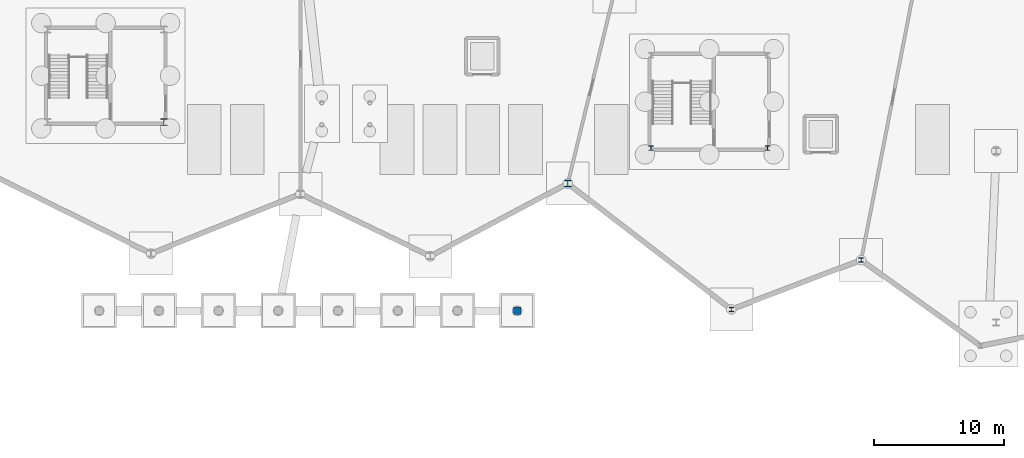
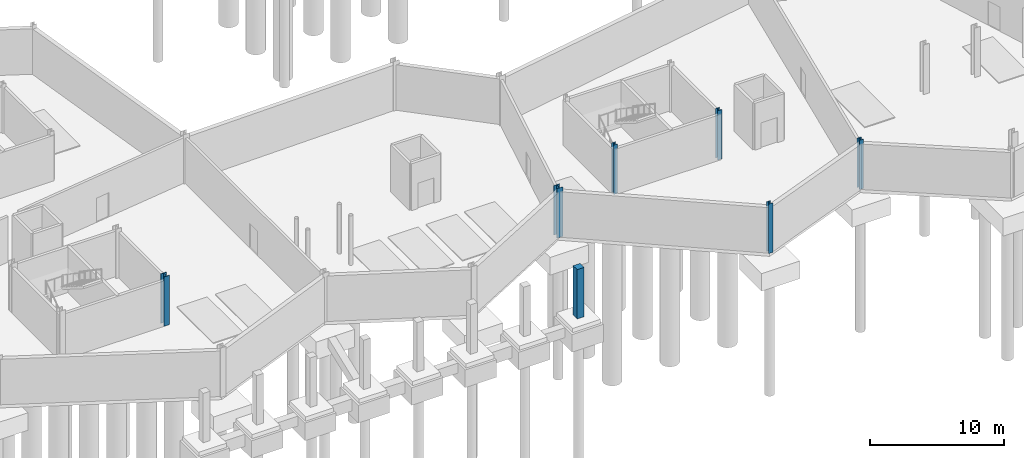
# One storey, part 12 of 37: 7 columns.
"""IFC4 building model written with IfcOpenShell, lengths in metres."""

import ifcopenshell
import ifcopenshell.guid

model = None  # the IFC model being written
_history = None  # IfcOwnerHistory: only IFC2X3 demands one
_inside = {}  # id of a spatial element -> (the spatial element, [elements in it])
_under = {}  # id of a project, library or spatial element -> (it, [spatial elements below it])
_declared = {}  # id of a project -> (the project, [libraries it declares])
_typed = {}  # id of a type object -> (the type object, [elements of that type])
_made_of = {}  # id of a material, layer set ... -> (it, [elements and type objects made of it])


def new_model(schema):
    """Start an empty IFC model of exactly this schema.

    Asked for "IFC4X3", IfcOpenShell would pick the latest addendum, in which some entities
    have other attributes; the version numbers below select the first issue.
    IFC2X3 requires an IfcOwnerHistory on every rooted entity: one is made here for all.
    """
    global model, _history
    if schema == "IFC4X3":
        model = ifcopenshell.file(schema_version=(4, 3, 0, 0))
    else:
        model = ifcopenshell.file(schema=schema)
    _inside.clear()
    _under.clear()
    _declared.clear()
    _typed.clear()
    _made_of.clear()
    _history = None
    if model.schema == "IFC2X3":
        org = make("IfcOrganization", Name="unknown")
        user = make(
            "IfcPersonAndOrganization",
            ThePerson=make("IfcPerson", FamilyName="unknown"),
            TheOrganization=org,
        )
        app = make(
            "IfcApplication",
            ApplicationDeveloper=org,
            Version="unknown",
            ApplicationFullName="unknown",
            ApplicationIdentifier="unknown",
        )
        _history = make(
            "IfcOwnerHistory",
            OwningUser=user,
            OwningApplication=app,
            ChangeAction="ADDED",
            CreationDate=0,
        )
    return model


def make(cls, **values):
    """One entity of the class cls with the attributes given. An attribute that is None is left unset."""
    return model.create_entity(
        cls, **{name: value for name, value in values.items() if value is not None}
    )


def rooted(cls, **values):
    """An entity with a GlobalId (a new one), such as an element, a storey or a relation."""
    return make(cls, GlobalId=ifcopenshell.guid.new(), OwnerHistory=_history, **values)


def si_unit(unit_type, name, prefix=None):
    """IfcSIUnit, for example si_unit("LENGTHUNIT", "METRE", prefix="MILLI")."""
    return make("IfcSIUnit", UnitType=unit_type, Prefix=prefix, Name=name)


def assignment(units):
    """IfcUnitAssignment: the units of a project."""
    return None if units is None else make("IfcUnitAssignment", Units=units)


def point(xyz):
    """IfcCartesianPoint."""
    return None if xyz is None else make("IfcCartesianPoint", Coordinates=xyz)


def direction(xyz):
    """IfcDirection."""
    return None if xyz is None else make("IfcDirection", DirectionRatios=xyz)


def frame(location, z_axis=None, x_axis=None):
    """IfcAxis2Placement3D, a coordinate frame: its origin and axes. An axis left out is left unset."""
    return make(
        "IfcAxis2Placement3D",
        Location=point(location),
        Axis=direction(z_axis),
        RefDirection=direction(x_axis),
    )


def frame_2d(location, x_axis=None):
    """IfcAxis2Placement2D, a coordinate frame in the plane: its origin and x axis."""
    return make(
        "IfcAxis2Placement2D", Location=point(location), RefDirection=direction(x_axis)
    )


def origin():
    """The frame at (0, 0, 0) with its axes left unset."""
    return frame((0.0, 0.0, 0.0))


def origin_2d():
    """The frame at (0, 0) in the plane with its x axis left unset."""
    return frame_2d((0.0, 0.0))


def place(relative_to, where):
    """IfcLocalPlacement: puts the frame where relative to a parent placement (None: the world)."""
    return make(
        "IfcLocalPlacement", PlacementRelTo=relative_to, RelativePlacement=where
    )


def context(
    kind, dimensions, precision=None, world=None, true_north=None, identifier=None
):
    """IfcGeometricRepresentationContext, for example the 3D "Model" context."""
    return make(
        "IfcGeometricRepresentationContext",
        ContextIdentifier=identifier,
        ContextType=kind,
        CoordinateSpaceDimension=dimensions,
        Precision=precision,
        WorldCoordinateSystem=world,
        TrueNorth=true_north,
    )


def subcontext(parent, identifier, kind, view, scale=None):
    """IfcGeometricRepresentationSubContext, for example "Body" below "Model"."""
    return make(
        "IfcGeometricRepresentationSubContext",
        ContextIdentifier=identifier,
        ContextType=kind,
        ParentContext=parent,
        TargetScale=scale,
        TargetView=view,
    )


def project(units=None, contexts=None):
    """IfcProject with its units and contexts."""
    return rooted(
        "IfcProject",
        Name="project",
        RepresentationContexts=contexts,
        UnitsInContext=assignment(units),
    )


def spatial(cls, under=None, at=None, **own):
    """A site, building, storey or space (cls), placed at a placement, below another one or the project."""
    s = rooted(cls, ObjectPlacement=at, **own)
    if under is not None:
        _under.setdefault(under.id(), (under, []))[1].append(s)
    return s


def profile(cls, at=None, kind="AREA", **sizes):
    """A parametric profile (cls). Its sizes go by their IFC names, for example OverallWidth=200.0."""
    return make(cls, ProfileType=kind, Position=at, **sizes)


def rectangle(**sizes):
    """IfcRectangleProfileDef."""
    return profile("IfcRectangleProfileDef", **sizes)


def i_section(**sizes):
    """IfcIShapeProfileDef."""
    return profile("IfcIShapeProfileDef", **sizes)


def extrude(swept, where, along, depth):
    """IfcExtrudedAreaSolid: the profile swept, set in the frame where, extruded along a direction by depth."""
    return make(
        "IfcExtrudedAreaSolid",
        SweptArea=swept,
        Position=where,
        ExtrudedDirection=direction(along),
        Depth=depth,
    )


def shape(context_of_items, identifier, shape_type, items):
    """IfcShapeRepresentation: the items that make up one representation, for example the "Body"."""
    return make(
        "IfcShapeRepresentation",
        ContextOfItems=context_of_items,
        RepresentationIdentifier=identifier,
        RepresentationType=shape_type,
        Items=items,
    )


def material(Name=None, Category=None):
    """IfcMaterial."""
    return make("IfcMaterial", Name=Name, Category=Category)


def material_profile(
    of_material, cross_section, Name=None, Category=None, Priority=None
):
    """IfcMaterialProfile: a cross section and its material."""
    return make(
        "IfcMaterialProfile",
        Name=Name,
        Material=of_material,
        Profile=cross_section,
        Priority=Priority,
        Category=Category,
    )


def profile_set(profiles, Name=None, composite=None):
    """IfcMaterialProfileSet."""
    return make(
        "IfcMaterialProfileSet",
        Name=Name,
        MaterialProfiles=profiles,
        CompositeProfile=composite,
    )


def made_of(thing, what):
    """Note that an element or type object is made of a material, layer set ...; save() writes the relation."""
    if what is not None:
        _made_of.setdefault(what.id(), (what, []))[1].append(thing)
    return thing


def type_object(cls, material=None, **own):
    """A type object (cls), such as IfcWallType, which elements share."""
    return made_of(rooted(cls, **own), material)


def element(
    cls,
    number,
    at=None,
    inside=None,
    cuts=None,
    type_object=None,
    material=None,
    context=None,
    identifier="Body",
    shape_type=None,
    held_by="IfcProductDefinitionShape",
    body=None,
    shapes=None,
    **own,
):
    """One element of the class cls, such as IfcWall. Its Tag is "e" and its number.

    at: its placement. inside: the storey or other place that contains it. cuts: it is an
    opening in that element (IfcRelVoidsElement). A single representation is given by context,
    identifier, shape_type and body (its items); several are given by shapes. held_by: the class
    of the entity that holds the representations. save() writes the other relations.
    """
    e = rooted(cls, Tag="e%d" % number, ObjectPlacement=at, **own)
    if body is not None:
        shapes = [shape(context, identifier, shape_type, body)]
    if shapes is not None:
        e.Representation = make(held_by, Representations=shapes)
    if inside is not None:
        _inside.setdefault(inside.id(), (inside, []))[1].append(e)
    if cuts is not None:
        rooted(
            "IfcRelVoidsElement", RelatingBuildingElement=cuts, RelatedOpeningElement=e
        )
    if type_object is not None:
        _typed.setdefault(type_object.id(), (type_object, []))[1].append(e)
    return made_of(e, material)


def aggregate(whole, parts):
    """IfcRelAggregates: a whole, such as a stair, and the parts it consists of."""
    return rooted("IfcRelAggregates", RelatingObject=whole, RelatedObjects=parts)


def save(model, path):
    """Write the relations noted so far, then the file.

    IfcRelAggregates (storeys below a building ...), IfcRelContainedInSpatialStructure (elements
    in a storey), IfcRelDefinesByType, IfcRelAssociatesMaterial and IfcRelDeclares: one each for
    every whole, place, type object, material and project.
    """
    for whole, parts in _under.values():
        aggregate(whole, parts)
    for where, things in _inside.values():
        rooted(
            "IfcRelContainedInSpatialStructure",
            RelatedElements=things,
            RelatingStructure=where,
        )
    for kind, things in _typed.values():
        rooted("IfcRelDefinesByType", RelatedObjects=things, RelatingType=kind)
    for what, things in _made_of.values():
        rooted("IfcRelAssociatesMaterial", RelatedObjects=things, RelatingMaterial=what)
    for by, libraries in _declared.values():
        rooted("IfcRelDeclares", RelatingContext=by, RelatedDefinitions=libraries)
    model.write(path)


model = new_model("IFC4")

# Units and contexts
model_context = context("Model", 3, precision=1e-05, world=origin(), true_north=direction((0.0, 1.0)))
body_context = subcontext(model_context, "Body", "Model", "MODEL_VIEW")
ifc_project = project(units=[si_unit("LENGTHUNIT", "METRE"), si_unit("AREAUNIT", "SQUARE_METRE"), si_unit("VOLUMEUNIT", "CUBIC_METRE"), si_unit("PLANEANGLEUNIT", "RADIAN"), si_unit("MASSUNIT", "GRAM", prefix="KILO")], contexts=[model_context])

# Site, building, storey
site_placement = place(None, origin())
site = spatial("IfcSite", under=ifc_project, at=site_placement, CompositionType="ELEMENT")
building_placement = place(site_placement, origin())
building = spatial("IfcBuilding", under=site, at=building_placement, Name="Tameran Prism Museum", CompositionType="ELEMENT")
storey_placement = place(building_placement, frame((0.0, 0.0, -4.5)))
storey = spatial("IfcBuildingStorey", under=building, at=storey_placement, Name="B1", CompositionType="ELEMENT", Elevation=-4.5)

# Columns
ifc_material_1 = material(Name="Concrete N50 (50 MPa)", Category="concrete")
ifc_material_profile_1 = material_profile(ifc_material_1, rectangle(XDim=0.60009765625, YDim=0.60009765625, at=origin_2d()))
ifc_profile_set_1 = profile_set([ifc_material_profile_1])
column_type_1 = type_object("IfcColumnType", Name="COL-RC600", PredefinedType="COLUMN", material=ifc_profile_set_1)
column_placement = place(storey_placement, frame((94.199951171875, 18.39990234375, 0.0), z_axis=(0.0, 0.0, 1.0), x_axis=(1.0, 0.0, 0.0)))
element("IfcColumn", 1, at=column_placement, inside=storey, type_object=column_type_1, Name="Column CP-08 B1", PredefinedType="COLUMN", context=body_context, shape_type="SweptSolid", body=[
    extrude(rectangle(XDim=0.60009765625, YDim=0.60009765625, at=origin_2d()), origin(), (0.0, 0.0, 1.0), 4.5),
])
ifc_material_2 = material(Name="Steel Grade 350 (350 MPa)", Category="steel")
ifc_material_profile_2 = material_profile(ifc_material_2, i_section(OverallWidth=0.35009765625, OverallDepth=0.35009765625, WebThickness=0.02001953125, FlangeThickness=0.028076171875, at=origin_2d()))
ifc_profile_set_2 = profile_set([ifc_material_profile_2])
column_type_2 = type_object("IfcColumnType", Name="COL-WC350", PredefinedType="COLUMN", material=ifc_profile_set_2)
for number, where, z_axis, x_axis, name in (
    (2, (110.699951171875, 18.5, 0.0), (0.0, 0.0, 1.0), (1.0, 0.0, 0.0), "Column CV-44 B1"),
    (3, (120.699951171875, 22.300048828125, 0.0), (0.0, 0.0, 1.0), (1.0, 0.0, 0.0), "Column CV-48 B1"),
    (4, (104.52001953125, 30.919921875, 0.0), (0.0, 0.0, 1.0), (1.0, 0.0, 0.0), "Column CC-4-1 B1"),
    (5, (113.47998046875, 30.919921875, 0.0), (0.0, 0.0, 1.0), (1.0, 0.0, 0.0), "Column CC-4-2 B1"),
):
    element("IfcColumn", number, at=place(storey_placement, frame(where, z_axis=z_axis, x_axis=x_axis)), inside=storey, type_object=column_type_2, Name=name, PredefinedType="COLUMN", context=body_context, shape_type="SweptSolid", body=[
        extrude(i_section(OverallWidth=0.35009765625, OverallDepth=0.35009765625, WebThickness=0.02001953125, FlangeThickness=0.028076171875, at=origin_2d()), origin(), (0.0, 0.0, 1.0), 4.5),
    ])
ifc_material_3 = material(Name="Steel Grade 350 (350 MPa)", Category="steel")
ifc_material_profile_3 = material_profile(ifc_material_3, i_section(OverallWidth=0.5, OverallDepth=0.5, WebThickness=0.02197265625, FlangeThickness=0.035888671875, at=origin_2d()))
ifc_profile_set_3 = profile_set([ifc_material_profile_3])
column_type_3 = type_object("IfcColumnType", Name="COL-WC500", PredefinedType="COLUMN", material=ifc_profile_set_3)
for number, where, z_axis, x_axis, name in (
    (6, (98.10009765625, 28.199951171875, 0.0), (0.0, 0.0, 1.0), (1.0, 0.0, 0.0), "Column CV-39 B1"),
    (7, (66.97998046875, 32.919921875, 0.0), (0.0, 0.0, 1.0), (1.0, 0.0, 0.0), "Column CC-3-2 B1"),
):
    element("IfcColumn", number, at=place(storey_placement, frame(where, z_axis=z_axis, x_axis=x_axis)), inside=storey, type_object=column_type_3, Name=name, PredefinedType="COLUMN", context=body_context, shape_type="SweptSolid", body=[
        extrude(i_section(OverallWidth=0.5, OverallDepth=0.5, WebThickness=0.02197265625, FlangeThickness=0.035888671875, at=origin_2d()), origin(), (0.0, 0.0, 1.0), 4.5),
    ])

save(model, "model.ifc")
